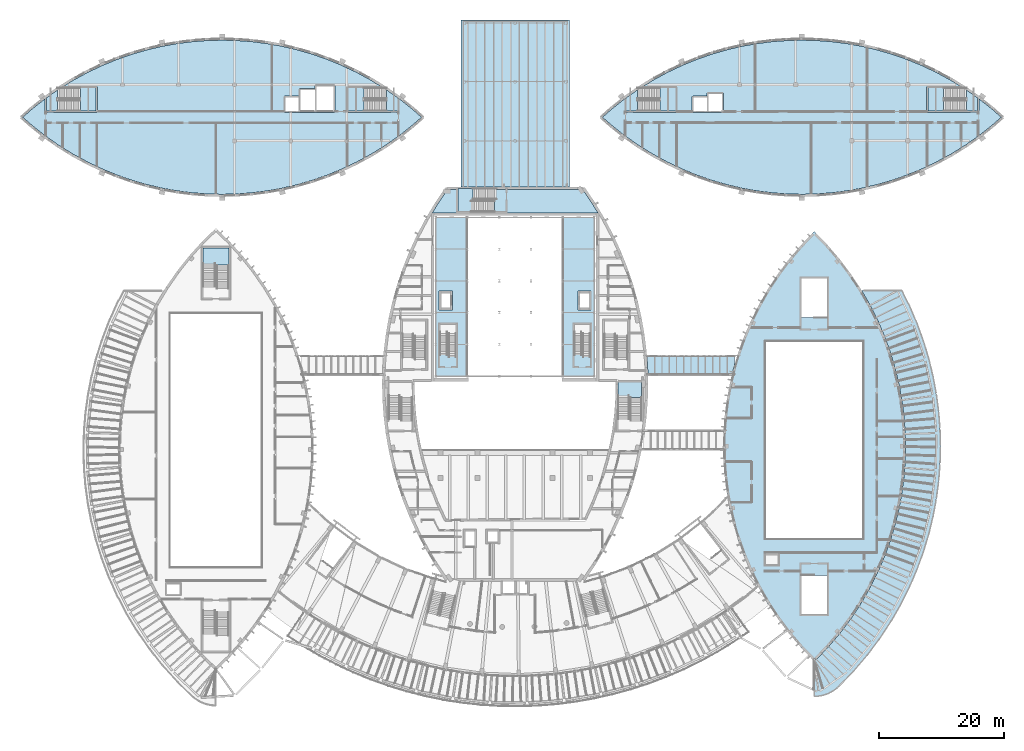
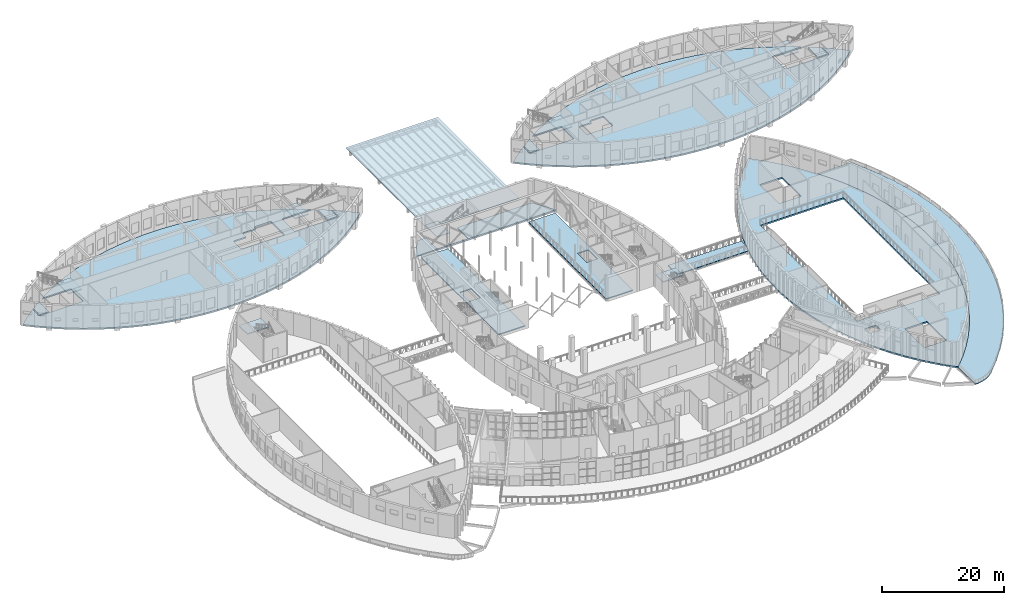
# One storey, part 46 of 93: 20 slabs, 7 elements without a shape of their own.
"""IFC4 building model written with IfcOpenShell, lengths in metres."""

from ifc_helpers import new_model, si_unit, direction, frame, origin, place, context, subcontext, project, spatial, polyline, outline, extrude, material, layer, layer_set, type_object, element, aggregate, save


model = new_model("IFC4")

# Units and contexts
model_context = context("Model", 3, precision=1e-05, world=origin(), true_north=direction((0.0, 1.0)))
body_context = subcontext(model_context, "Body", "Model", "MODEL_VIEW")
ifc_project = project(units=[si_unit("LENGTHUNIT", "METRE"), si_unit("AREAUNIT", "SQUARE_METRE"), si_unit("VOLUMEUNIT", "CUBIC_METRE"), si_unit("PLANEANGLEUNIT", "RADIAN"), si_unit("MASSUNIT", "GRAM", prefix="KILO")], contexts=[model_context])

# Site, building, storey
site_placement = place(None, origin())
site = spatial("IfcSite", under=ifc_project, at=site_placement, CompositionType="ELEMENT")
building_placement = place(site_placement, origin())
building = spatial("IfcBuilding", under=site, at=building_placement, Name="Tide Square Theatres", CompositionType="ELEMENT")
storey_placement = place(building_placement, frame((0.0, 0.0, 5.39990234375)))
storey = spatial("IfcBuildingStorey", under=building, at=storey_placement, Name="L01", CompositionType="ELEMENT", Elevation=5.39990234375)

# Slabs
ifc_material_1 = material(Name="Concrete C35", Category="concrete")
ifc_layer_1 = layer(ifc_material_1, 0.14990234375)
ifc_layer_set_1 = layer_set([ifc_layer_1], Name="Concrete C35")
slab_type_1 = type_object("IfcSlabType", Name="RC floor slab 150", PredefinedType="FLOOR", material=ifc_layer_set_1)
slab_1_placement = place(storey_placement, frame((0.0, 0.0, -0.14990234375)))
element("IfcSlab", 1, at=slab_1_placement, inside=storey, type_object=slab_type_1, Name="Bridge BR-E1 deck", PredefinedType="FLOOR", context=body_context, shape_type="SweptSolid", body=[
    extrude(outline(polyline([(105.269775390625, 57.65283203125), (105.298095703125, 56.5), (118.7890625, 56.5), (119.04638671875, 57.564453125), (119.177490234375, 58.0), (119.177490234375, 59.5), (105.244140625, 59.5), (105.244140625, 58.0), (105.269775390625, 57.65283203125)])), origin(), (0.0, 0.0, 1.0), 0.14990234375),
])
ifc_material_2 = material(Name="Concrete C35", Category="concrete")
ifc_layer_2 = layer(ifc_material_2, 0.199951171875)
ifc_layer_set_2 = layer_set([ifc_layer_2], Name="Concrete C35")
slab_type_2 = type_object("IfcSlabType", Name="RC floor slab 200", PredefinedType="FLOOR", material=ifc_layer_set_2)
slab_2_placement = place(storey_placement, frame((0.0, 0.0, -0.199951171875)))
element("IfcSlab", 2, at=slab_2_placement, inside=storey, type_object=slab_type_2, Name="Fly gallery floor", PredefinedType="FLOOR", context=body_context, shape_type="SweptSolid", body=[
    extrude(outline(polyline([(76.365478515625, 56.27587890625), (76.365478515625, 81.72412109375), (71.27587890625, 81.72412109375), (71.27587890625, 56.27587890625), (76.365478515625, 56.27587890625)]), holes=[polyline([(73.926025390625, 66.89990234375), (73.926025390625, 69.89990234375), (71.825927734375, 69.89990234375), (71.825927734375, 66.89990234375), (73.926025390625, 66.89990234375)])]), origin(), (0.0, 0.0, 1.0), 0.199951171875),
])
slab_3_placement = place(storey_placement, frame((0.0, 0.0, -0.199951171875)))
element("IfcSlab", 3, at=slab_3_placement, inside=storey, type_object=slab_type_2, Name="Fly gallery floor", PredefinedType="FLOOR", context=body_context, shape_type="SweptSolid", body=[
    extrude(outline(polyline([(96.72412109375, 56.27587890625), (96.72412109375, 81.72412109375), (91.634521484375, 81.72412109375), (91.634521484375, 56.27587890625), (96.72412109375, 56.27587890625)]), holes=[polyline([(96.174072265625, 66.89990234375), (96.174072265625, 69.89990234375), (94.073974609375, 69.89990234375), (94.073974609375, 66.89990234375), (96.174072265625, 66.89990234375)])]), origin(), (0.0, 0.0, 1.0), 0.199951171875),
])
ifc_material_3 = material(Name="Concrete C35", Category="concrete")
ifc_layer_3 = layer(ifc_material_3, 0.25)
ifc_layer_set_3 = layer_set([ifc_layer_3], Name="Concrete C35")
slab_type_3 = type_object("IfcSlabType", Name="RC floor slab 250", PredefinedType="FLOOR", material=ifc_layer_set_3)
slab_4_placement = place(storey_placement, frame((0.0, 0.0, -0.25)))
element("IfcSlab", 4, at=slab_4_placement, inside=storey, type_object=slab_type_3, Name="Floor slab", PredefinedType="FLOOR", context=body_context, shape_type="SweptSolid", body=[
    extrude(outline(polyline([(71.578125, 83.892333984375), (70.710205078125, 82.449951171875), (97.289794921875, 82.449951171875), (96.421875, 83.892333984375), (94.85498046875, 86.1923828125), (80.700927734375, 86.1923828125), (80.700927734375, 82.60009765625), (74.800048828125, 82.60009765625), (74.800048828125, 86.1923828125), (73.14501953125, 86.1923828125), (71.578125, 83.892333984375)])), origin(), (0.0, 0.0, 1.0), 0.25),
])
ifc_material_4 = material(Name="Concrete C35", Category="concrete")
ifc_layer_4 = layer(ifc_material_4, 0.280029296875)
ifc_layer_set_4 = layer_set([ifc_layer_4], Name="Concrete C35")
slab_type_4 = type_object("IfcSlabType", Name="RC floor slab 280", PredefinedType="FLOOR", material=ifc_layer_set_4)
slab_5_placement = place(storey_placement, frame((0.0, 0.0, -0.27978515625)))
element("IfcSlab", 5, at=slab_5_placement, inside=storey, type_object=slab_type_4, Name="Scenery Workshops floor slab L01", PredefinedType="FLOOR", context=body_context, shape_type="SweptSolid", body=[
    extrude(outline(polyline([(63.3046875, 93.35986328125), (65.560546875, 94.95166015625), (67.484619140625, 96.473876953125), (68.993896484375, 97.800048828125), (67.484619140625, 99.1259765625), (65.560546875, 100.648193359375), (65.39990234375, 100.761474609375), (65.39990234375, 98.699951171875), (65.300048828125, 98.699951171875), (65.300048828125, 98.60009765625), (57.10009765625, 98.60009765625), (57.10009765625, 98.699951171875), (57.0, 98.699951171875), (57.0, 102.64990234375), (57.10009765625, 102.64990234375), (57.10009765625, 102.75), (62.48486328125, 102.75), (60.9609375, 103.697998046875), (58.53662109375, 105.017822265625), (56.03955078125, 106.195068359375), (53.72265625, 107.134521484375), (51.359130859375, 107.951171875), (48.9560546875, 108.642578125), (46.519775390625, 109.20703125), (44.1611328125, 109.626953125), (41.7841796875, 109.927490234375), (39.39501953125, 110.1083984375), (37.0, 110.168701171875), (34.60498046875, 110.1083984375), (32.2158203125, 109.927490234375), (29.8388671875, 109.626953125), (27.480224609375, 109.20703125), (25.0439453125, 108.642578125), (22.640869140625, 107.951171875), (20.27734375, 107.134521484375), (17.96044921875, 106.195068359375), (15.46337890625, 105.017822265625), (13.0390625, 103.697998046875), (11.51513671875, 102.75), (16.89990234375, 102.75), (16.89990234375, 102.64990234375), (17.0, 102.64990234375), (17.0, 98.699951171875), (16.89990234375, 98.699951171875), (16.89990234375, 98.60009765625), (8.699951171875, 98.60009765625), (8.699951171875, 98.699951171875), (8.60009765625, 98.699951171875), (8.60009765625, 100.761474609375), (8.439453125, 100.648193359375), (6.515380859375, 99.1259765625), (5.006103515625, 97.800048828125), (6.515380859375, 96.473876953125), (8.439453125, 94.95166015625), (10.6953125, 93.35986328125), (13.0390625, 91.90185546875), (15.46337890625, 90.582275390625), (17.96044921875, 89.405029296875), (20.27734375, 88.465576171875), (22.640869140625, 87.64892578125), (25.0439453125, 86.957275390625), (27.480224609375, 86.39306640625), (29.8388671875, 85.97314453125), (32.2158203125, 85.67236328125), (34.60498046875, 85.49169921875), (37.0, 85.431396484375), (39.39501953125, 85.49169921875), (41.7841796875, 85.67236328125), (44.1611328125, 85.97314453125), (46.519775390625, 86.39306640625), (48.9560546875, 86.957275390625), (51.359130859375, 87.64892578125), (53.72265625, 88.465576171875), (56.03955078125, 89.405029296875), (58.53662109375, 90.582275390625), (60.9609375, 91.90185546875), (63.3046875, 93.35986328125)]), holes=[polyline([(55.10009765625, 102.89990234375), (55.10009765625, 98.699951171875), (55.0, 98.699951171875), (55.0, 98.60009765625), (52.0, 98.60009765625), (49.39990234375, 98.60009765625), (47.0, 98.60009765625), (47.0, 98.699951171875), (46.89990234375, 98.699951171875), (46.89990234375, 101.10009765625), (47.0, 101.10009765625), (47.0, 101.199951171875), (49.300048828125, 101.199951171875), (49.300048828125, 102.300048828125), (49.39990234375, 102.300048828125), (49.39990234375, 102.39990234375), (51.89990234375, 102.39990234375), (51.89990234375, 102.89990234375), (52.0, 102.89990234375), (52.0, 103.0), (55.0, 103.0), (55.0, 102.89990234375), (55.10009765625, 102.89990234375)])]), origin(), (0.0, 0.0, 1.0), 0.27978515625),
])
slab_6_placement = place(storey_placement, frame((0.0, 0.0, -0.27978515625)))
element("IfcSlab", 6, at=slab_6_placement, inside=storey, type_object=slab_type_4, Name="Scenery Workshops floor slab L01", PredefinedType="FLOOR", context=body_context, shape_type="SweptSolid", body=[
    extrude(outline(polyline([(63.399169921875, 102.17333984375), (63.399169921875, 98.800048828125), (65.199951171875, 98.800048828125), (65.199951171875, 100.770751953125), (65.38671875, 100.770751953125), (63.399169921875, 102.17333984375)])), origin(), (0.0, 0.0, 1.0), 0.27978515625),
])
slab_7_placement = place(storey_placement, frame((0.0, 0.0, -0.27978515625)))
element("IfcSlab", 7, at=slab_7_placement, inside=storey, type_object=slab_type_4, Name="Scenery Workshops floor slab L01", PredefinedType="FLOOR", context=body_context, shape_type="SweptSolid", body=[
    extrude(outline(polyline([(10.600830078125, 98.800048828125), (10.600830078125, 102.17333984375), (8.61328125, 100.770751953125), (8.800048828125, 100.770751953125), (8.800048828125, 98.800048828125), (10.600830078125, 98.800048828125)])), origin(), (0.0, 0.0, 1.0), 0.27978515625),
])
slab_8_placement = place(storey_placement, frame((0.0, 0.0, -0.27978515625)))
element("IfcSlab", 8, at=slab_8_placement, inside=storey, type_object=slab_type_4, Name="Rehearsal Block floor slab L01", PredefinedType="FLOOR", context=body_context, shape_type="SweptSolid", body=[
    extrude(outline(polyline([(158.560546875, 94.95166015625), (160.484619140625, 96.473876953125), (161.993896484375, 97.800048828125), (160.484619140625, 99.1259765625), (158.560546875, 100.648193359375), (158.39990234375, 100.761474609375), (158.39990234375, 98.699951171875), (158.300048828125, 98.699951171875), (158.300048828125, 98.60009765625), (150.10009765625, 98.60009765625), (150.10009765625, 98.699951171875), (150.0, 98.699951171875), (150.0, 102.64990234375), (150.10009765625, 102.64990234375), (150.10009765625, 102.75), (155.48486328125, 102.75), (153.9609375, 103.697998046875), (151.53662109375, 105.017822265625), (149.03955078125, 106.195068359375), (146.72265625, 107.134521484375), (144.359130859375, 107.951171875), (141.9560546875, 108.642578125), (139.519775390625, 109.20703125), (137.1611328125, 109.626953125), (134.7841796875, 109.927490234375), (132.39501953125, 110.1083984375), (130.0, 110.168701171875), (127.60498046875, 110.1083984375), (125.2158203125, 109.927490234375), (122.8388671875, 109.626953125), (120.480224609375, 109.20703125), (118.0439453125, 108.642578125), (115.640869140625, 107.951171875), (113.27734375, 107.134521484375), (110.96044921875, 106.195068359375), (108.46337890625, 105.017822265625), (106.0390625, 103.697998046875), (104.51513671875, 102.75), (109.89990234375, 102.75), (109.89990234375, 102.64990234375), (110.0, 102.64990234375), (110.0, 98.699951171875), (109.89990234375, 98.699951171875), (109.89990234375, 98.60009765625), (101.699951171875, 98.60009765625), (101.699951171875, 98.699951171875), (101.60009765625, 98.699951171875), (101.60009765625, 100.761474609375), (101.439453125, 100.648193359375), (99.515380859375, 99.1259765625), (98.006103515625, 97.800048828125), (99.515380859375, 96.473876953125), (101.439453125, 94.95166015625), (103.6953125, 93.35986328125), (106.0390625, 91.90185546875), (108.46337890625, 90.582275390625), (110.96044921875, 89.405029296875), (113.27734375, 88.465576171875), (115.640869140625, 87.64892578125), (118.0439453125, 86.957275390625), (120.480224609375, 86.39306640625), (122.8388671875, 85.97314453125), (125.2158203125, 85.67236328125), (127.60498046875, 85.49169921875), (130.0, 85.431396484375), (132.39501953125, 85.49169921875), (134.7841796875, 85.67236328125), (137.1611328125, 85.97314453125), (139.519775390625, 86.39306640625), (141.9560546875, 86.957275390625), (144.359130859375, 87.64892578125), (146.72265625, 88.465576171875), (149.03955078125, 89.405029296875), (151.53662109375, 90.582275390625), (153.9609375, 91.90185546875), (156.3046875, 93.35986328125), (158.560546875, 94.95166015625)]), holes=[polyline([(117.39990234375, 101.699951171875), (117.39990234375, 98.699951171875), (117.300048828125, 98.699951171875), (117.300048828125, 98.60009765625), (114.89990234375, 98.60009765625), (112.5, 98.60009765625), (112.5, 98.699951171875), (112.39990234375, 98.699951171875), (112.39990234375, 101.10009765625), (112.5, 101.10009765625), (112.5, 101.199951171875), (114.800048828125, 101.199951171875), (114.800048828125, 101.699951171875), (114.89990234375, 101.699951171875), (114.89990234375, 101.800048828125), (117.300048828125, 101.800048828125), (117.300048828125, 101.699951171875), (117.39990234375, 101.699951171875)])]), origin(), (0.0, 0.0, 1.0), 0.27978515625),
])
slab_9_placement = place(storey_placement, frame((0.0, 0.0, -0.27978515625)))
element("IfcSlab", 9, at=slab_9_placement, inside=storey, type_object=slab_type_4, Name="Rehearsal Block floor slab L01", PredefinedType="FLOOR", context=body_context, shape_type="SweptSolid", body=[
    extrude(outline(polyline([(156.399169921875, 98.800048828125), (158.199951171875, 98.800048828125), (158.199951171875, 100.770751953125), (158.38671875, 100.770751953125), (156.399169921875, 102.17333984375), (156.399169921875, 98.800048828125)])), origin(), (0.0, 0.0, 1.0), 0.27978515625),
])
slab_10_placement = place(storey_placement, frame((0.0, 0.0, -0.27978515625)))
element("IfcSlab", 10, at=slab_10_placement, inside=storey, type_object=slab_type_4, Name="Rehearsal Block floor slab L01", PredefinedType="FLOOR", context=body_context, shape_type="SweptSolid", body=[
    extrude(outline(polyline([(103.600830078125, 102.17333984375), (101.61328125, 100.770751953125), (101.800048828125, 100.770751953125), (101.800048828125, 98.800048828125), (103.600830078125, 98.800048828125), (103.600830078125, 102.17333984375)])), origin(), (0.0, 0.0, 1.0), 0.27978515625),
])
ifc_material_5 = material(Name="Concrete C35", Category="concrete")
ifc_layer_5 = layer(ifc_material_5, 0.300048828125)
ifc_layer_set_5 = layer_set([ifc_layer_5], Name="Concrete C35")
slab_type_5 = type_object("IfcSlabType", Name="RC floor slab 300", PredefinedType="FLOOR", material=ifc_layer_set_5)
slab_11_placement = place(storey_placement, frame((0.0, 0.0, -0.2998046875)))
element("IfcSlab", 11, at=slab_11_placement, inside=storey, type_object=slab_type_5, Name="Black Box Theatre floor slab L01", PredefinedType="FLOOR", context=body_context, shape_type="SweptSolid", body=[
    extrude(outline(polyline([(132.0, 10.5), (134.119873046875, 12.68505859375), (136.09716796875, 15.0), (137.865478515625, 17.353515625), (139.486572265625, 19.810791015625), (140.953857421875, 22.36279296875), (142.261962890625, 25.0), (143.294921875, 27.427978515625), (144.193115234375, 29.908935546875), (144.95361328125, 32.435546875), (145.573974609375, 35.0), (146.03369140625, 37.475830078125), (146.363037109375, 39.972412109375), (146.56103515625, 42.482666015625), (146.627197265625, 45.0), (146.56103515625, 47.517333984375), (146.363037109375, 50.027587890625), (146.03369140625, 52.524169921875), (145.573974609375, 55.0), (144.95361328125, 57.564453125), (144.193115234375, 60.091064453125), (143.294921875, 62.572021484375), (142.261962890625, 65.0), (140.953857421875, 67.63720703125), (139.486572265625, 70.189208984375), (137.865478515625, 72.646484375), (136.09716796875, 75.0), (134.119873046875, 77.31494140625), (132.0, 79.5), (129.880126953125, 77.31494140625), (127.90283203125, 75.0), (126.134521484375, 72.646484375), (124.513427734375, 70.189208984375), (123.046142578125, 67.63720703125), (121.738037109375, 65.0), (120.705078125, 62.572021484375), (119.806884765625, 60.091064453125), (119.04638671875, 57.564453125), (118.426025390625, 55.0), (117.96630859375, 52.524169921875), (117.636962890625, 50.027587890625), (117.43896484375, 47.517333984375), (117.372802734375, 45.0), (117.43896484375, 42.482666015625), (117.636962890625, 39.972412109375), (117.96630859375, 37.475830078125), (118.426025390625, 35.0), (119.04638671875, 32.435546875), (119.806884765625, 29.908935546875), (120.705078125, 27.427978515625), (121.738037109375, 25.0), (123.046142578125, 22.36279296875), (124.513427734375, 19.810791015625), (126.134521484375, 17.353515625), (127.90283203125, 15.0), (129.880126953125, 12.68505859375), (132.0, 10.5)]), holes=[polyline([(124.14990234375, 61.85009765625), (124.14990234375, 30.14990234375), (139.85009765625, 30.14990234375), (139.85009765625, 61.85009765625), (124.14990234375, 61.85009765625)]), polyline([(126.219970703125, 26.0), (126.219970703125, 27.60009765625), (124.1201171875, 27.60009765625), (124.1201171875, 26.0), (126.219970703125, 26.0)]), polyline([(134.10009765625, 65.69921875), (134.10009765625, 71.949951171875), (129.89990234375, 71.949951171875), (129.89990234375, 65.69921875), (134.10009765625, 65.69921875)]), polyline([(129.89990234375, 24.30078125), (129.89990234375, 18.050048828125), (134.10009765625, 18.050048828125), (134.10009765625, 24.30078125), (129.89990234375, 24.30078125)])]), origin(), (0.0, 0.0, 1.0), 0.2998046875),
])

# Stair, slab
ifc_material_6 = material(Name="Concrete C35", Category="concrete")
stair_type_1 = type_object("IfcStairType", Name="Stair half turn 1800 wide, 28 risers, rise 4800", PredefinedType="HALF_TURN_STAIR", material=ifc_material_6)
stair_1_placement = place(storey_placement, origin())
stair_1 = element("IfcStair", 12, at=stair_1_placement, inside=storey, type_object=stair_type_1, Name="Main Theatre East Circle Stair", PredefinedType="HALF_TURN_STAIR")
ifc_material_7 = material(Name="Concrete C35", Category="concrete")
ifc_layer_6 = layer(ifc_material_7, 0.199951171875)
ifc_layer_set_6 = layer_set([ifc_layer_6], Name="Concrete C35")
slab_type_6 = type_object("IfcSlabType", Name="RC landing slab 200", PredefinedType="LANDING", material=ifc_layer_set_6)
slab_12_placement = place(storey_placement, frame((0.0, 0.0, 2.2001953125)))
slab_12 = element("IfcSlab", 13, at=slab_12_placement, type_object=slab_type_6, Name="ST-1800-4800 landing 1", PredefinedType="LANDING", context=body_context, shape_type="SweptSolid", body=[
    extrude(outline(polyline([(104.300048828125, 52.8701171875), (104.300048828125, 55.300048828125), (100.5, 55.300048828125), (100.5, 52.8701171875), (104.300048828125, 52.8701171875)])), origin(), (0.0, 0.0, 1.0), 0.199951171875),
])
aggregate(stair_1, [slab_12])

stair_2_placement = place(storey_placement, origin())
stair_2 = element("IfcStair", 14, at=stair_2_placement, inside=storey, type_object=stair_type_1, Name="Main Theatre North Stair", PredefinedType="HALF_TURN_STAIR")
slab_13_placement = place(storey_placement, frame((0.0, 0.0, 2.2001953125)))
slab_13 = element("IfcSlab", 15, at=slab_13_placement, type_object=slab_type_6, Name="ST-1800-4800 landing 1", PredefinedType="LANDING", context=body_context, shape_type="SweptSolid", body=[
    extrude(outline(polyline([(77.22998046875, 86.39990234375), (74.800048828125, 86.39990234375), (74.800048828125, 82.60009765625), (77.22998046875, 82.60009765625), (77.22998046875, 86.39990234375)])), origin(), (0.0, 0.0, 1.0), 0.199951171875),
])
aggregate(stair_2, [slab_13])

ifc_material_8 = material(Name="Concrete C35", Category="concrete")
stair_type_2 = type_object("IfcStairType", Name="Stair half turn 2000 wide, 28 risers, rise 4800", PredefinedType="HALF_TURN_STAIR", material=ifc_material_8)
stair_3_placement = place(storey_placement, origin())
stair_3 = element("IfcStair", 16, at=stair_3_placement, inside=storey, type_object=stair_type_2, Name="Studio Theatre Stair S1", PredefinedType="HALF_TURN_STAIR")
slab_14_placement = place(storey_placement, frame((0.0, 0.0, 2.2001953125)))
slab_14 = element("IfcSlab", 17, at=slab_14_placement, type_object=slab_type_6, Name="ST-2000-4800 landing 1", PredefinedType="LANDING", context=body_context, shape_type="SweptSolid", body=[
    extrude(outline(polyline([(38.10009765625, 74.070068359375), (38.10009765625, 76.85009765625), (33.89990234375, 76.85009765625), (33.89990234375, 74.070068359375), (38.10009765625, 74.070068359375)])), origin(), (0.0, 0.0, 1.0), 0.199951171875),
])
aggregate(stair_3, [slab_14])

ifc_material_9 = material(Name="Concrete C35", Category="concrete")
stair_type_3 = type_object("IfcStairType", Name="Stair half turn 1300 wide", PredefinedType="HALF_TURN_STAIR", material=ifc_material_9)
stair_4_placement = place(storey_placement, origin())
stair_4 = element("IfcStair", 18, at=stair_4_placement, inside=storey, type_object=stair_type_3, Name="L01 Scenery Workshops stair 1", PredefinedType="HALF_TURN_STAIR")
slab_15_placement = place(storey_placement, frame((0.0, 0.0, 2.2001953125)))
slab_15 = element("IfcSlab", 19, at=slab_15_placement, type_object=slab_type_6, Name="WST-1 landing 1", PredefinedType="LANDING", context=body_context, shape_type="SweptSolid", body=[
    extrude(outline(polyline([(14.239013671875, 98.800048828125), (16.800048828125, 98.800048828125), (16.800048828125, 102.550048828125), (14.239013671875, 102.550048828125), (14.239013671875, 98.800048828125)])), origin(), (0.0, 0.0, 1.0), 0.199951171875),
])
aggregate(stair_4, [slab_15])

stair_5_placement = place(storey_placement, origin())
stair_5 = element("IfcStair", 20, at=stair_5_placement, inside=storey, type_object=stair_type_3, Name="L01 Scenery Workshops stair 2", PredefinedType="HALF_TURN_STAIR")
slab_16_placement = place(storey_placement, frame((0.0, 0.0, 2.2001953125)))
slab_16 = element("IfcSlab", 21, at=slab_16_placement, type_object=slab_type_6, Name="WST-2 landing 1", PredefinedType="LANDING", context=body_context, shape_type="SweptSolid", body=[
    extrude(outline(polyline([(59.760986328125, 102.550048828125), (57.199951171875, 102.550048828125), (57.199951171875, 98.800048828125), (59.760986328125, 98.800048828125), (59.760986328125, 102.550048828125)])), origin(), (0.0, 0.0, 1.0), 0.199951171875),
])
aggregate(stair_5, [slab_16])

stair_6_placement = place(storey_placement, origin())
stair_6 = element("IfcStair", 22, at=stair_6_placement, inside=storey, type_object=stair_type_3, Name="L01 Rehearsal Block stair 1", PredefinedType="HALF_TURN_STAIR")
slab_17_placement = place(storey_placement, frame((0.0, 0.0, 2.2001953125)))
slab_17 = element("IfcSlab", 23, at=slab_17_placement, type_object=slab_type_6, Name="RST-1 landing 1", PredefinedType="LANDING", context=body_context, shape_type="SweptSolid", body=[
    extrude(outline(polyline([(107.239013671875, 98.800048828125), (109.800048828125, 98.800048828125), (109.800048828125, 102.550048828125), (107.239013671875, 102.550048828125), (107.239013671875, 98.800048828125)])), origin(), (0.0, 0.0, 1.0), 0.199951171875),
])
aggregate(stair_6, [slab_17])

stair_7_placement = place(storey_placement, origin())
stair_7 = element("IfcStair", 24, at=stair_7_placement, inside=storey, type_object=stair_type_3, Name="L01 Rehearsal Block stair 2", PredefinedType="HALF_TURN_STAIR")
slab_18_placement = place(storey_placement, frame((0.0, 0.0, 2.2001953125)))
slab_18 = element("IfcSlab", 25, at=slab_18_placement, type_object=slab_type_6, Name="RST-2 landing 1", PredefinedType="LANDING", context=body_context, shape_type="SweptSolid", body=[
    extrude(outline(polyline([(152.760986328125, 102.550048828125), (150.199951171875, 102.550048828125), (150.199951171875, 98.800048828125), (152.760986328125, 98.800048828125), (152.760986328125, 102.550048828125)])), origin(), (0.0, 0.0, 1.0), 0.199951171875),
])
aggregate(stair_7, [slab_18])

# Slabs
ifc_material_10 = material(Name="Concrete C40", Category="concrete")
ifc_layer_7 = layer(ifc_material_10, 0.139892578125)
ifc_layer_set_7 = layer_set([ifc_layer_7], Name="Concrete C40")
slab_type_7 = type_object("IfcSlabType", Name="RC roof slab 140", PredefinedType="ROOF", material=ifc_layer_set_7)
slab_19_placement = place(storey_placement, frame((0.0, 0.0, 1.260009765625)))
element("IfcSlab", 26, at=slab_19_placement, inside=storey, type_object=slab_type_7, Name="Scenery dock canopy roof", PredefinedType="ROOF", context=body_context, shape_type="SweptSolid", body=[
    extrude(outline(polyline([(75.300048828125, 86.642333984375), (92.699951171875, 86.642333984375), (92.699951171875, 113.39990234375), (75.300048828125, 113.39990234375), (75.300048828125, 86.642333984375)])), origin(), (0.0, 0.0, 1.0), 0.14013671875),
])
ifc_material_11 = material(Name="Concrete C40", Category="concrete")
ifc_layer_8 = layer(ifc_material_11, 0.199951171875)
ifc_layer_set_8 = layer_set([ifc_layer_8], Name="Concrete C40")
slab_type_8 = type_object("IfcSlabType", Name="RC roof slab 200", PredefinedType="ROOF", material=ifc_layer_set_8)
slab_20_placement = place(storey_placement, frame((0.0, 0.0, -0.199951171875)))
element("IfcSlab", 27, at=slab_20_placement, inside=storey, type_object=slab_type_8, Name="Side arcade roof slab", PredefinedType="ROOF", context=body_context, shape_type="SweptSolid", body=[
    extrude(outline(polyline([(147.27880859375, 67.48828125), (146.032958984375, 70.0), (139.595458984375, 70.0), (140.953857421875, 67.63720703125), (142.261962890625, 65.0), (143.294921875, 62.572021484375), (144.193115234375, 60.091064453125), (144.95361328125, 57.564453125), (145.573974609375, 55.0), (146.03369140625, 52.524169921875), (146.363037109375, 50.027587890625), (146.56103515625, 47.517333984375), (146.627197265625, 45.0), (146.56103515625, 42.482666015625), (146.363037109375, 39.972412109375), (146.03369140625, 37.475830078125), (145.573974609375, 35.0), (144.95361328125, 32.435546875), (144.193115234375, 29.908935546875), (143.294921875, 27.427978515625), (142.261962890625, 25.0), (140.953857421875, 22.36279296875), (139.486572265625, 19.810791015625), (137.865478515625, 17.353515625), (136.09716796875, 15.0), (134.119873046875, 12.68505859375), (132.0, 10.5), (132.0, 4.89990234375), (132.559326171875, 4.927978515625), (133.11328125, 5.01171875), (133.656005859375, 5.150390625), (134.18212890625, 5.342529296875), (134.686279296875, 5.58642578125), (135.163818359375, 5.87939453125), (135.609619140625, 6.218505859375), (136.019287109375, 6.6005859375), (138.13916015625, 8.785400390625), (138.378173828125, 9.048095703125), (140.35546875, 11.363037109375), (140.573974609375, 11.6357421875), (142.34228515625, 13.989013671875), (142.540283203125, 14.269775390625), (144.1611328125, 16.72705078125), (144.34130859375, 17.01953125), (145.80859375, 19.571533203125), (145.970703125, 19.87451171875), (147.27880859375, 22.51171875), (147.414794921875, 22.8076171875), (148.447998046875, 25.2353515625), (148.560546875, 25.521728515625), (149.458740234375, 28.002685546875), (149.555419921875, 28.294921875), (150.31591796875, 30.821533203125), (150.396484375, 31.11865234375), (151.016845703125, 33.68310546875), (151.07958984375, 33.977294921875), (151.53955078125, 36.453125), (151.585693359375, 36.743408203125), (151.9150390625, 39.239990234375), (151.94580078125, 39.531982421875), (152.143798828125, 42.04248046875), (152.1591796875, 42.335693359375), (152.22509765625, 44.85302734375), (152.22509765625, 45.14697265625), (152.1591796875, 47.664306640625), (152.143798828125, 47.95751953125), (151.94580078125, 50.468017578125), (151.9150390625, 50.760009765625), (151.585693359375, 53.256591796875), (151.53955078125, 53.546875), (151.07958984375, 56.022705078125), (151.016845703125, 56.31689453125), (150.396484375, 58.88134765625), (150.31591796875, 59.178466796875), (149.555419921875, 61.705078125), (149.458740234375, 61.997314453125), (148.560546875, 64.478271484375), (148.447998046875, 64.7646484375), (147.414794921875, 67.1923828125), (147.27880859375, 67.48828125)])), origin(), (0.0, 0.0, 1.0), 0.199951171875),
])

save(model, "model.ifc")
